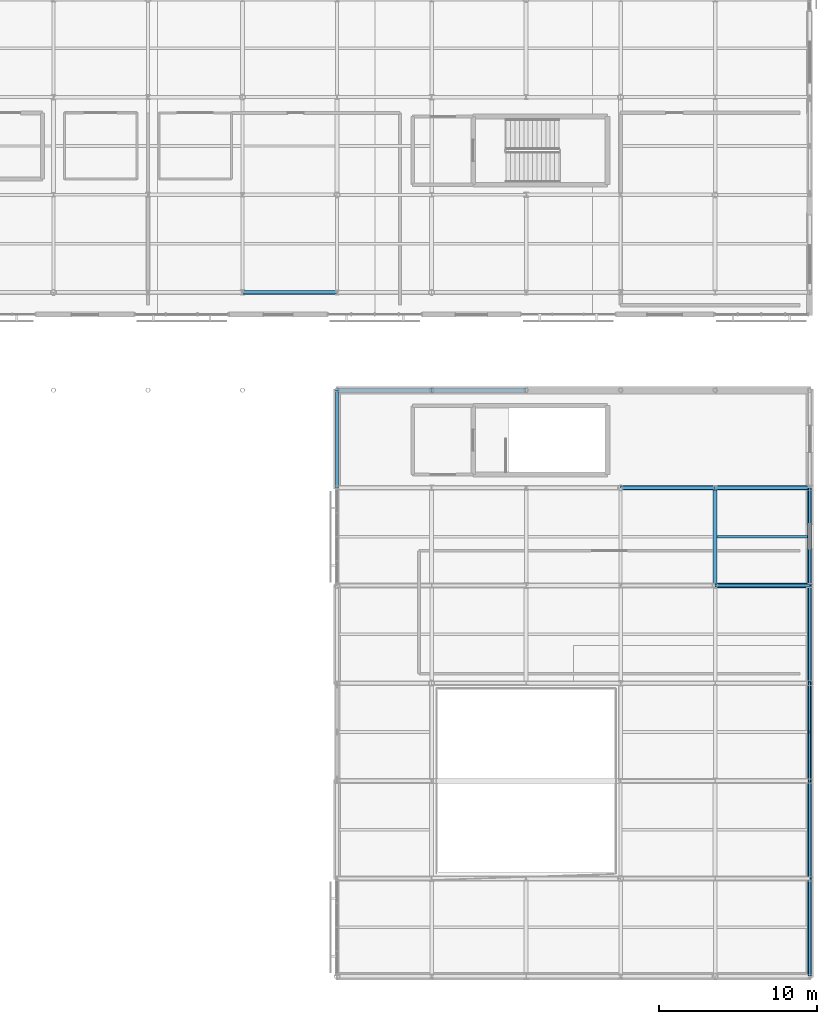
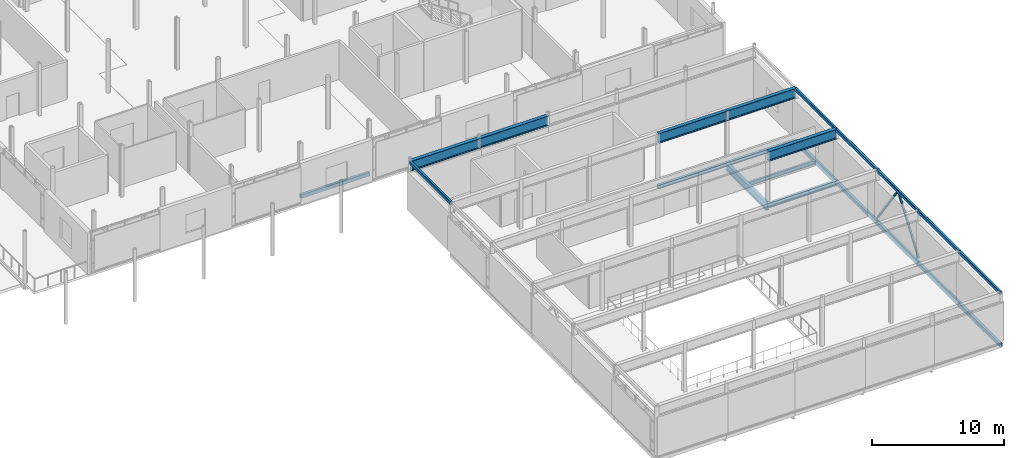
# One storey, part 40 of 84: 22 beams, 2 members.
"""IFC4 building model written with IfcOpenShell, lengths in metres."""

from ifc_helpers import new_model, si_unit, direction, frame, origin, origin_2d, place, context, subcontext, project, spatial, hollow_rectangle, i_section, extrude, material, material_profile, profile_set, type_object, element, save


model = new_model("IFC4")

# Units and contexts
model_context = context("Model", 3, precision=1e-05, world=origin(), true_north=direction((0.0, 1.0)))
body_context = subcontext(model_context, "Body", "Model", "MODEL_VIEW")
ifc_project = project(units=[si_unit("LENGTHUNIT", "METRE"), si_unit("AREAUNIT", "SQUARE_METRE"), si_unit("VOLUMEUNIT", "CUBIC_METRE"), si_unit("PLANEANGLEUNIT", "RADIAN"), si_unit("MASSUNIT", "GRAM", prefix="KILO")], contexts=[model_context])

# Site, building, storey
site_placement = place(None, origin())
site = spatial("IfcSite", under=ifc_project, at=site_placement, CompositionType="ELEMENT")
building_placement = place(site_placement, origin())
building = spatial("IfcBuilding", under=site, at=building_placement, Name="Mirzam Square Science Centre", CompositionType="ELEMENT")
storey_placement = place(building_placement, frame((0.0, 0.0, 10.800048828125)))
storey = spatial("IfcBuildingStorey", under=building, at=storey_placement, Name="L02", CompositionType="ELEMENT", Elevation=10.800048828125)

# Beams
ifc_material = material(Name="Steel S355", Category="steel")
ifc_material_profile_1 = material_profile(ifc_material, i_section(OverallWidth=0.19140625, OverallDepth=0.4599609375, WebThickness=0.010009765625, FlangeThickness=0.01611328125, FilletRadius=0.01025390625, at=origin_2d()), Name="457x191x82UB")
ifc_profile_set_1 = profile_set([ifc_material_profile_1], Name="Steel S355")
beam_type_1 = type_object("IfcBeamType", Name="BM-UB457", PredefinedType="BEAM", material=ifc_profile_set_1)
beam_1_placement = place(storey_placement, frame((156.0, 24.800048828125, -0.489990234375), z_axis=(1.0, 0.0, 0.0), x_axis=(0.0, 1.0, 0.0)))
element("IfcBeam", 1, at=beam_1_placement, inside=storey, type_object=beam_type_1, Name="L02 girder X27-5", PredefinedType="BEAM", context=body_context, shape_type="SweptSolid", body=[
    extrude(i_section(OverallWidth=0.19140625, OverallDepth=0.4599609375, WebThickness=0.010009765625, FlangeThickness=0.01611328125, FilletRadius=0.01025390625, at=origin_2d()), origin(), (0.0, 0.0, 1.0), 6.0),
])
ifc_material_profile_2 = material_profile(ifc_material, i_section(OverallWidth=0.25439453125, OverallDepth=0.6875, WebThickness=0.01318359375, FlangeThickness=0.02099609375, FilletRadius=0.01513671875, at=origin_2d()), Name="686x254x152UB")
ifc_profile_set_2 = profile_set([ifc_material_profile_2], Name="Steel S355")
beam_type_2 = type_object("IfcBeamType", Name="BM-UB686", PredefinedType="BEAM", material=ifc_profile_set_2)
beam_2_placement = place(storey_placement, frame((156.0, 24.800048828125, -0.603759765625), z_axis=(0.0, 1.0, 0.0), x_axis=(-1.0, 0.0, 0.0)))
element("IfcBeam", 2, at=beam_2_placement, inside=storey, type_object=beam_type_2, Name="L02 girder Y27-5", PredefinedType="BEAM", context=body_context, shape_type="SweptSolid", body=[
    extrude(i_section(OverallWidth=0.25439453125, OverallDepth=0.6875, WebThickness=0.01318359375, FlangeThickness=0.02099609375, FilletRadius=0.01513671875, at=origin_2d()), origin(), (0.0, 0.0, 1.0), 6.199951171875),
])
ifc_material_profile_3 = material_profile(ifc_material, i_section(OverallWidth=0.30419921875, OverallDepth=0.910400390625, WebThickness=0.015869140625, FlangeThickness=0.02392578125, FilletRadius=0.01904296875, at=origin_2d()), Name="914x305x224UB")
ifc_profile_set_3 = profile_set([ifc_material_profile_3], Name="Steel S355")
beam_type_3 = type_object("IfcBeamType", Name="BM-UB914", PredefinedType="BEAM", material=ifc_profile_set_3)
for number, where, z_axis, x_axis, name in (
    (3, (156.0, 24.800048828125, 4.07470703125), (1.0, 0.0, 0.0), (0.0, 1.0, 0.0), "Theatre acoustic roof girder 27-5"),
    (4, (150.0, 31.0, 4.07470703125), (1.0, 0.0, 0.0), (0.0, 1.0, 0.0), "Theatre acoustic roof girder 26-6"),
    (5, (156.0, 31.0, 4.07470703125), (1.0, 0.0, 0.0), (0.0, 1.0, 0.0), "Theatre acoustic roof girder 27-6"),
    (6, (132.0, 37.199951171875, 4.07470703125), (1.0, 0.0, 0.0), (0.0, 1.0, 0.0), "Theatre acoustic roof girder 23-7"),
    (7, (138.0, 37.199951171875, 4.07470703125), (1.0, 0.0, 0.0), (0.0, 1.0, 0.0), "Theatre acoustic roof girder 24-7"),
):
    element("IfcBeam", number, at=place(storey_placement, frame(where, z_axis=z_axis, x_axis=x_axis)), inside=storey, type_object=beam_type_3, Name=name, PredefinedType="BEAM", context=body_context, shape_type="SweptSolid", body=[
        extrude(i_section(OverallWidth=0.30419921875, OverallDepth=0.910400390625, WebThickness=0.015869140625, FlangeThickness=0.02392578125, FilletRadius=0.01904296875, at=origin_2d()), origin(), (0.0, 0.0, 1.0), 6.0),
    ])

# Members
ifc_material_profile_4 = material_profile(ifc_material, hollow_rectangle(XDim=0.14990234375, YDim=0.14990234375, WallThickness=0.008056640625, InnerFilletRadius=0.008056640625, OuterFilletRadius=0.01611328125, at=origin_2d()), Name="150x150x8.0SHS")
ifc_profile_set_4 = profile_set([ifc_material_profile_4], Name="Steel S355")
member_type = type_object("IfcMemberType", Name="BR-SHS150", PredefinedType="BRACE", material=ifc_profile_set_4)
for number, where, z_axis, x_axis, name in (
    (8, (162.0, 12.39990234375, 0.050048828125), (0.0, 0.582152888192, 0.813079341005), (-1.0, 0.0, 0.0), "L02 chevron brace 7A"),
    (9, (162.0, 18.60009765625, 0.050048828125), (0.0, -0.582152888192, 0.813079341005), (1.0, 0.0, 0.0), "L02 chevron brace 7B"),
):
    element("IfcMember", number, at=place(storey_placement, frame(where, z_axis=z_axis, x_axis=x_axis)), inside=storey, type_object=member_type, Name=name, PredefinedType="BRACE", context=body_context, shape_type="SweptSolid", body=[
        extrude(hollow_rectangle(XDim=0.14990234375, YDim=0.14990234375, WallThickness=0.008056640625, InnerFilletRadius=0.008056640625, OuterFilletRadius=0.01611328125, at=origin_2d()), origin(), (0.0, 0.0, 1.0), 5.3251953125),
    ])

# Beams
ifc_material_profile_5 = material_profile(ifc_material, i_section(OverallWidth=0.172119140625, OverallDepth=0.35791015625, WebThickness=0.008056640625, FlangeThickness=0.012939453125, FilletRadius=0.01025390625, at=origin_2d()), Name="356x171x57UB")
ifc_profile_set_5 = profile_set([ifc_material_profile_5], Name="Steel S355")
beam_type_4 = type_object("IfcBeamType", Name="JS-UB356", PredefinedType="JOIST", material=ifc_profile_set_5)
beam_3_placement = place(storey_placement, frame((156.127197265625, 27.89990234375, -0.43896484375), z_axis=(1.0, 0.0, 0.0), x_axis=(0.0, 1.0, 0.0)))
element("IfcBeam", 10, at=beam_3_placement, inside=storey, type_object=beam_type_4, Name="L02 composite joist 27-5", PredefinedType="JOIST", context=body_context, shape_type="SweptSolid", body=[
    extrude(i_section(OverallWidth=0.172119140625, OverallDepth=0.35791015625, WebThickness=0.008056640625, FlangeThickness=0.012939453125, FilletRadius=0.01025390625, at=origin_2d()), origin(), (0.0, 0.0, 1.0), 5.747802734375),
])
ifc_material_profile_6 = material_profile(ifc_material, hollow_rectangle(XDim=0.199951171875, YDim=0.300048828125, WallThickness=0.010009765625, InnerFilletRadius=0.010009765625, OuterFilletRadius=0.02001953125, at=origin_2d()), Name="300x200x10.0RHS")
ifc_profile_set_6 = profile_set([ifc_material_profile_6], Name="Steel S355")
beam_type_5 = type_object("IfcBeamType", Name="SP-RHS300", PredefinedType="SPANDREL", material=ifc_profile_set_6)
for number, where, z_axis, x_axis, name in (
    (11, (132.0, 31.0, 4.3798828125), (0.0, 1.0, 0.0), (-1.0, 0.0, 0.0), "Theatre roof edge beam X23-6"),
    (12, (162.0, 0.0, 4.3798828125), (0.0, 1.0, 0.0), (-1.0, 0.0, 0.0), "Theatre roof edge beam X28-1"),
    (13, (162.0, 6.199951171875, 4.3798828125), (0.0, 1.0, 0.0), (-1.0, 0.0, 0.0), "Theatre roof edge beam X28-2"),
):
    element("IfcBeam", number, at=place(storey_placement, frame(where, z_axis=z_axis, x_axis=x_axis)), inside=storey, type_object=beam_type_5, Name=name, PredefinedType="SPANDREL", context=body_context, shape_type="SweptSolid", body=[
        extrude(hollow_rectangle(XDim=0.199951171875, YDim=0.300048828125, WallThickness=0.010009765625, InnerFilletRadius=0.010009765625, OuterFilletRadius=0.02001953125, at=origin_2d()), origin(), (0.0, 0.0, 1.0), 6.199951171875),
    ])
beam_4_placement = place(storey_placement, frame((162.0, 12.39990234375, 4.3798828125), z_axis=(0.0, 1.0, 0.0), x_axis=(-1.0, 0.0, 0.0)))
element("IfcBeam", 14, at=beam_4_placement, inside=storey, type_object=beam_type_5, Name="Theatre roof edge beam X28-3", PredefinedType="SPANDREL", context=body_context, shape_type="SweptSolid", body=[
    extrude(hollow_rectangle(XDim=0.199951171875, YDim=0.300048828125, WallThickness=0.010009765625, InnerFilletRadius=0.010009765625, OuterFilletRadius=0.02001953125, at=origin_2d()), origin(), (0.0, 0.0, 1.0), 6.2001953125),
])
for number, where, z_axis, x_axis, name in (
    (15, (162.0, 18.60009765625, 4.3798828125), (0.0, 1.0, 0.0), (-1.0, 0.0, 0.0), "Theatre roof edge beam X28-4"),
    (16, (162.0, 24.800048828125, 4.3798828125), (0.0, 1.0, 0.0), (-1.0, 0.0, 0.0), "Theatre roof edge beam X28-5"),
):
    element("IfcBeam", number, at=place(storey_placement, frame(where, z_axis=z_axis, x_axis=x_axis)), inside=storey, type_object=beam_type_5, Name=name, PredefinedType="SPANDREL", context=body_context, shape_type="SweptSolid", body=[
        extrude(hollow_rectangle(XDim=0.199951171875, YDim=0.300048828125, WallThickness=0.010009765625, InnerFilletRadius=0.010009765625, OuterFilletRadius=0.02001953125, at=origin_2d()), origin(), (0.0, 0.0, 1.0), 6.199951171875),
    ])
ifc_material_profile_7 = material_profile(ifc_material, hollow_rectangle(XDim=0.25, YDim=0.35009765625, WallThickness=0.012451171875, InnerFilletRadius=0.012451171875, OuterFilletRadius=0.02490234375, at=origin_2d()), Name="350x250x12.5RHS")
ifc_profile_set_7 = profile_set([ifc_material_profile_7], Name="Steel S355")
beam_type_6 = type_object("IfcBeamType", Name="SP-RHS350", PredefinedType="SPANDREL", material=ifc_profile_set_7)
for number, where, z_axis, x_axis, name in (
    (17, (150.0, 31.0, -0.43505859375), (1.0, 0.0, 0.0), (0.0, 1.0, 0.0), "L02 girder X26-6"),
    (18, (156.0, 31.0, -0.43505859375), (1.0, 0.0, 0.0), (0.0, 1.0, 0.0), "L02 girder X27-6"),
    (19, (126.0, 43.39990234375, -0.425048828125), (1.0, 0.0, 0.0), (0.0, 1.0, 0.0), "L02 girder X22-8"),
):
    element("IfcBeam", number, at=place(storey_placement, frame(where, z_axis=z_axis, x_axis=x_axis)), inside=storey, type_object=beam_type_6, Name=name, PredefinedType="SPANDREL", context=body_context, shape_type="SweptSolid", body=[
        extrude(hollow_rectangle(XDim=0.25, YDim=0.35009765625, WallThickness=0.012451171875, InnerFilletRadius=0.012451171875, OuterFilletRadius=0.02490234375, at=origin_2d()), origin(), (0.0, 0.0, 1.0), 6.0),
    ])
for number, where, z_axis, x_axis, name in (
    (20, (162.0, 0.0, -0.43505859375), (0.0, 1.0, 0.0), (-1.0, 0.0, 0.0), "L02 girder Y28-1"),
    (21, (162.0, 6.199951171875, -0.43505859375), (0.0, 1.0, 0.0), (-1.0, 0.0, 0.0), "L02 girder Y28-2"),
):
    element("IfcBeam", number, at=place(storey_placement, frame(where, z_axis=z_axis, x_axis=x_axis)), inside=storey, type_object=beam_type_6, Name=name, PredefinedType="SPANDREL", context=body_context, shape_type="SweptSolid", body=[
        extrude(hollow_rectangle(XDim=0.25, YDim=0.35009765625, WallThickness=0.012451171875, InnerFilletRadius=0.012451171875, OuterFilletRadius=0.02490234375, at=origin_2d()), origin(), (0.0, 0.0, 1.0), 6.199951171875),
    ])
beam_5_placement = place(storey_placement, frame((162.0, 12.39990234375, -0.43505859375), z_axis=(0.0, 1.0, 0.0), x_axis=(-1.0, 0.0, 0.0)))
element("IfcBeam", 22, at=beam_5_placement, inside=storey, type_object=beam_type_6, Name="L02 girder Y28-3", PredefinedType="SPANDREL", context=body_context, shape_type="SweptSolid", body=[
    extrude(hollow_rectangle(XDim=0.25, YDim=0.35009765625, WallThickness=0.012451171875, InnerFilletRadius=0.012451171875, OuterFilletRadius=0.02490234375, at=origin_2d()), origin(), (0.0, 0.0, 1.0), 6.2001953125),
])
for number, where, z_axis, x_axis, name in (
    (23, (162.0, 18.60009765625, -0.43505859375), (0.0, 1.0, 0.0), (-1.0, 0.0, 0.0), "L02 girder Y28-4"),
    (24, (162.0, 24.800048828125, -0.43505859375), (0.0, 1.0, 0.0), (-1.0, 0.0, 0.0), "L02 girder Y28-5"),
):
    element("IfcBeam", number, at=place(storey_placement, frame(where, z_axis=z_axis, x_axis=x_axis)), inside=storey, type_object=beam_type_6, Name=name, PredefinedType="SPANDREL", context=body_context, shape_type="SweptSolid", body=[
        extrude(hollow_rectangle(XDim=0.25, YDim=0.35009765625, WallThickness=0.012451171875, InnerFilletRadius=0.012451171875, OuterFilletRadius=0.02490234375, at=origin_2d()), origin(), (0.0, 0.0, 1.0), 6.199951171875),
    ])

save(model, "model.ifc")
